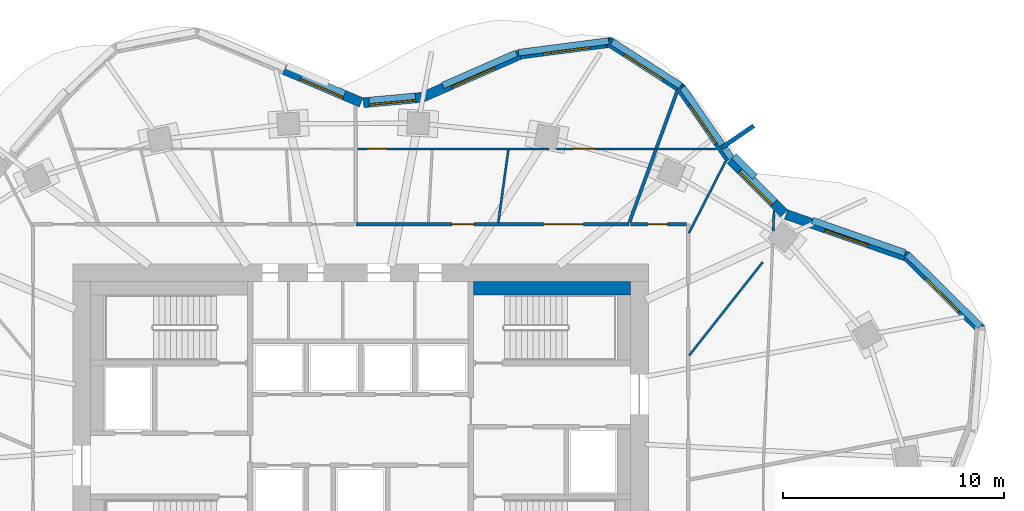
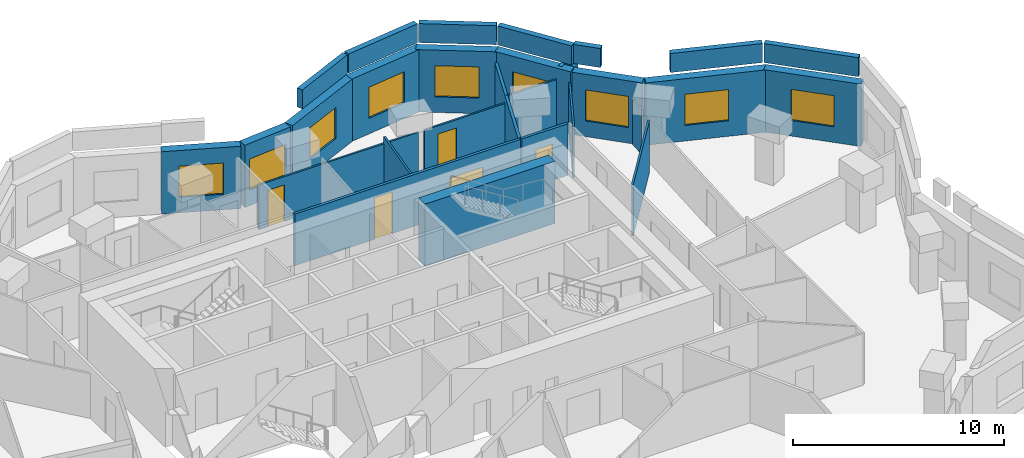
# One storey, part 9 of 11: 28 walls, 9 windows, 5 doors, 14 openings.
"""IFC4 building model written with IfcOpenShell, lengths in metres."""

from ifc_helpers import new_model, si_unit, direction, frame, frame_2d, origin, place, context, subcontext, project, spatial, rectangle, extrude, material, layer, layer_set, type_object, element, fill, save


model = new_model("IFC4")

# Units and contexts
model_context = context("Model", 3, precision=1e-05, world=origin(), true_north=direction((0.0, 1.0)))
body_context = subcontext(model_context, "Body", "Model", "MODEL_VIEW")
ifc_project = project(units=[si_unit("LENGTHUNIT", "METRE"), si_unit("AREAUNIT", "SQUARE_METRE"), si_unit("VOLUMEUNIT", "CUBIC_METRE"), si_unit("PLANEANGLEUNIT", "RADIAN"), si_unit("MASSUNIT", "GRAM", prefix="KILO")], contexts=[model_context])

# Site, building, storey
site_placement = place(None, origin())
site = spatial("IfcSite", under=ifc_project, at=site_placement, CompositionType="ELEMENT")
building_placement = place(site_placement, origin())
building = spatial("IfcBuilding", under=site, at=building_placement, Name="Rubra Terraces Tower", CompositionType="ELEMENT")
storey_placement = place(building_placement, frame((0.0, 0.0, 260.39990234375)))
storey = spatial("IfcBuildingStorey", under=building, at=storey_placement, Name="L64", CompositionType="ELEMENT", Elevation=260.39990234375)

# Wall, opening, window
ifc_material_1 = material(Name="Brick masonry red-brown", Category="masonry")
ifc_layer_1 = layer(ifc_material_1, 0.449951171875)
ifc_layer_set_1 = layer_set([ifc_layer_1], Name="Brick masonry red-brown")
wall_type_1 = type_object("IfcWallType", Name="Brick facade wall 450", PredefinedType="SOLIDWALL", material=ifc_layer_set_1)
wall_1_placement = place(storey_placement, frame((28.06787109375, 9.010986328125, 0.0), z_axis=(0.0, 0.0, 1.0), x_axis=(-0.711293453435, 0.702895172199, 0.0)))
wall_1 = element("IfcWall", 1, at=wall_1_placement, inside=storey, type_object=wall_type_1, Name="Facade wall L64 bay 3", PredefinedType="SOLIDWALL", context=body_context, shape_type="SweptSolid", body=[
    extrude(rectangle(XDim=4.767578125, YDim=0.449951171875, at=frame_2d((2.3837890625, 0.0))), origin(), (0.0, 0.0, 1.0), 3.60009765625),
])
opening_1_placement = place(wall_1_placement, frame((1.333740234375, 0.0, 0.89990234375)))
opening_1 = element("IfcOpeningElement", 2, at=opening_1_placement, cuts=wall_1, Name="Opening W1Z", PredefinedType="OPENING", context=body_context, shape_type="SweptSolid", body=[
    extrude(rectangle(XDim=2.10009765625, YDim=1.800048828125, at=frame_2d((1.050048828125, 0.89990234375))), frame((0.0, 0.23486328125, 0.0), z_axis=(0.0, -1.0, 0.0), x_axis=(1.0, 0.0, 0.0)), (0.0, 0.0, 1.0), 0.469970703125),
])
ifc_material_2 = material(Name="Clear glass in aluminium frame", Category="aluminium")
window_type = type_object("IfcWindowType", Name="Fixed deep-set window under transfer level 2100 x 1800", PartitioningType="SINGLE_PANEL", PredefinedType="WINDOW", material=ifc_material_2)
window_1_placement = place(opening_1_placement, origin())
window_1 = element("IfcWindow", 3, at=window_1_placement, inside=storey, type_object=window_type, Name="Window L64 bay 3", OverallHeight=1.800048828125, OverallWidth=2.10009765625, PartitioningType="SINGLE_PANEL", PredefinedType="WINDOW", context=body_context, shape_type="SweptSolid", body=[
    extrude(rectangle(XDim=2.10009765625, YDim=1.800048828125, at=frame_2d((1.050048828125, 0.89990234375))), frame((0.0, 0.135009765625, 0.0), z_axis=(0.0, -1.0, 0.0), x_axis=(1.0, 0.0, 0.0)), (0.0, 0.0, 1.0), 0.06005859375),
])
fill(opening_1, window_1)

wall_2_placement = place(storey_placement, frame((24.760986328125, 12.309814453125, 0.0), z_axis=(0.0, 0.0, 1.0), x_axis=(-0.944397305248, 0.328806523414, 0.0)))
wall_2 = element("IfcWall", 4, at=wall_2_placement, inside=storey, type_object=wall_type_1, Name="Facade wall L64 bay 4", PredefinedType="SOLIDWALL", context=body_context, shape_type="SweptSolid", body=[
    extrude(rectangle(XDim=5.862060546875, YDim=0.449951171875, at=frame_2d((2.93115234375, 0.0))), origin(), (0.0, 0.0, 1.0), 3.60009765625),
])
opening_2_placement = place(wall_2_placement, frame((1.881103515625, 0.0, 0.89990234375)))
opening_2 = element("IfcOpeningElement", 5, at=opening_2_placement, cuts=wall_2, Name="Opening W1Z", PredefinedType="OPENING", context=body_context, shape_type="SweptSolid", body=[
    extrude(rectangle(XDim=2.10009765625, YDim=1.800048828125, at=frame_2d((1.050048828125, 0.89990234375))), frame((0.0, 0.23486328125, 0.0), z_axis=(0.0, -1.0, 0.0), x_axis=(1.0, 0.0, 0.0)), (0.0, 0.0, 1.0), 0.469970703125),
])
window_2_placement = place(opening_2_placement, origin())
window_2 = element("IfcWindow", 6, at=window_2_placement, inside=storey, type_object=window_type, Name="Window L64 bay 4", OverallHeight=1.800048828125, OverallWidth=2.10009765625, PartitioningType="SINGLE_PANEL", PredefinedType="WINDOW", context=body_context, shape_type="SweptSolid", body=[
    extrude(rectangle(XDim=2.10009765625, YDim=1.800048828125, at=frame_2d((1.050048828125, 0.89990234375))), frame((0.0, 0.135009765625, 0.0), z_axis=(0.0, -1.0, 0.0), x_axis=(1.0, 0.0, 0.0)), (0.0, 0.0, 1.0), 0.06005859375),
])
fill(opening_2, window_2)

wall_3_placement = place(storey_placement, frame((19.145263671875, 14.285400390625, 0.0), z_axis=(0.0, 0.0, 1.0), x_axis=(-0.707427521052, 0.706785895769, 0.0)))
wall_3 = element("IfcWall", 7, at=wall_3_placement, inside=storey, type_object=wall_type_1, Name="Facade wall L64 bay 5", PredefinedType="SOLIDWALL", context=body_context, shape_type="SweptSolid", body=[
    extrude(rectangle(XDim=3.424560546875, YDim=0.449951171875, at=frame_2d((1.71240234375, 0.0))), origin(), (0.0, 0.0, 1.0), 3.60009765625),
])
opening_3_placement = place(wall_3_placement, frame((0.662353515625, 0.0, 0.89990234375)))
opening_3 = element("IfcOpeningElement", 8, at=opening_3_placement, cuts=wall_3, Name="Opening W1Z", PredefinedType="OPENING", context=body_context, shape_type="SweptSolid", body=[
    extrude(rectangle(XDim=2.10009765625, YDim=1.800048828125, at=frame_2d((1.050048828125, 0.89990234375))), frame((0.0, 0.23486328125, 0.0), z_axis=(0.0, -1.0, 0.0), x_axis=(1.0, 0.0, 0.0)), (0.0, 0.0, 1.0), 0.469970703125),
])
window_3_placement = place(opening_3_placement, origin())
window_3 = element("IfcWindow", 9, at=window_3_placement, inside=storey, type_object=window_type, Name="Window L64 bay 5", OverallHeight=1.800048828125, OverallWidth=2.10009765625, PartitioningType="SINGLE_PANEL", PredefinedType="WINDOW", context=body_context, shape_type="SweptSolid", body=[
    extrude(rectangle(XDim=2.10009765625, YDim=1.800048828125, at=frame_2d((1.050048828125, 0.89990234375))), frame((0.0, 0.135009765625, 0.0), z_axis=(0.0, -1.0, 0.0), x_axis=(1.0, 0.0, 0.0)), (0.0, 0.0, 1.0), 0.06005859375),
])
fill(opening_3, window_3)

wall_4_placement = place(storey_placement, frame((16.695068359375, 16.73681640625, 0.0), z_axis=(0.0, 0.0, 1.0), x_axis=(-0.569652445465, 0.821885692402, 0.0)))
wall_4 = element("IfcWall", 10, at=wall_4_placement, inside=storey, type_object=wall_type_1, Name="Facade wall L64 bay 6", PredefinedType="SOLIDWALL", context=body_context, shape_type="SweptSolid", body=[
    extrude(rectangle(XDim=3.958740234375, YDim=0.449951171875, at=frame_2d((1.9794921875, 0.0))), origin(), (0.0, 0.0, 1.0), 3.60009765625),
])
opening_4_placement = place(wall_4_placement, frame((0.929443359375, 0.0, 0.89990234375)))
opening_4 = element("IfcOpeningElement", 11, at=opening_4_placement, cuts=wall_4, Name="Opening W1Z", PredefinedType="OPENING", context=body_context, shape_type="SweptSolid", body=[
    extrude(rectangle(XDim=2.10009765625, YDim=1.800048828125, at=frame_2d((1.050048828125, 0.89990234375))), frame((0.0, 0.23486328125, 0.0), z_axis=(0.0, -1.0, 0.0), x_axis=(1.0, 0.0, 0.0)), (0.0, 0.0, 1.0), 0.469970703125),
])
window_4_placement = place(opening_4_placement, origin())
window_4 = element("IfcWindow", 12, at=window_4_placement, inside=storey, type_object=window_type, Name="Window L64 bay 6", OverallHeight=1.800048828125, OverallWidth=2.10009765625, PartitioningType="SINGLE_PANEL", PredefinedType="WINDOW", context=body_context, shape_type="SweptSolid", body=[
    extrude(rectangle(XDim=2.10009765625, YDim=1.800048828125, at=frame_2d((1.050048828125, 0.89990234375))), frame((0.0, 0.135009765625, 0.0), z_axis=(0.0, -1.0, 0.0), x_axis=(1.0, 0.0, 0.0)), (0.0, 0.0, 1.0), 0.06005859375),
])
fill(opening_4, window_4)

wall_5_placement = place(storey_placement, frame((14.499267578125, 19.934814453125, 0.0), z_axis=(0.0, 0.0, 1.0), x_axis=(-0.84080910763, 0.541331732422, 0.0)))
wall_5 = element("IfcWall", 13, at=wall_5_placement, inside=storey, type_object=wall_type_1, Name="Facade wall L64 bay 7", PredefinedType="SOLIDWALL", context=body_context, shape_type="SweptSolid", body=[
    extrude(rectangle(XDim=3.91064453125, YDim=0.449951171875, at=frame_2d((1.955322265625, 0.0))), origin(), (0.0, 0.0, 1.0), 3.60009765625),
])
opening_5_placement = place(wall_5_placement, frame((0.9052734375, 0.0, 0.89990234375)))
opening_5 = element("IfcOpeningElement", 14, at=opening_5_placement, cuts=wall_5, Name="Opening W1Z", PredefinedType="OPENING", context=body_context, shape_type="SweptSolid", body=[
    extrude(rectangle(XDim=2.10009765625, YDim=1.800048828125, at=frame_2d((1.050048828125, 0.89990234375))), frame((0.0, 0.23486328125, 0.0), z_axis=(0.0, -1.0, 0.0), x_axis=(1.0, 0.0, 0.0)), (0.0, 0.0, 1.0), 0.469970703125),
])
window_5_placement = place(opening_5_placement, origin())
window_5 = element("IfcWindow", 15, at=window_5_placement, inside=storey, type_object=window_type, Name="Window L64 bay 7", OverallHeight=1.800048828125, OverallWidth=2.10009765625, PartitioningType="SINGLE_PANEL", PredefinedType="WINDOW", context=body_context, shape_type="SweptSolid", body=[
    extrude(rectangle(XDim=2.10009765625, YDim=1.800048828125, at=frame_2d((1.050048828125, 0.89990234375))), frame((0.0, 0.135009765625, 0.0), z_axis=(0.0, -1.0, 0.0), x_axis=(1.0, 0.0, 0.0)), (0.0, 0.0, 1.0), 0.06005859375),
])
fill(opening_5, window_5)

wall_6_placement = place(storey_placement, frame((11.36181640625, 22.017822265625, 0.0), z_axis=(0.0, 0.0, 1.0), x_axis=(-0.991724958022, -0.128380713645, 0.0)))
wall_6 = element("IfcWall", 16, at=wall_6_placement, inside=storey, type_object=wall_type_1, Name="Facade wall L64 bay 8", PredefinedType="SOLIDWALL", context=body_context, shape_type="SweptSolid", body=[
    extrude(rectangle(XDim=4.181884765625, YDim=0.449951171875, at=frame_2d((2.0908203125, 0.0))), origin(), (0.0, 0.0, 1.0), 3.60009765625),
])
opening_6_placement = place(wall_6_placement, frame((1.041015625, 0.0, 0.89990234375)))
opening_6 = element("IfcOpeningElement", 17, at=opening_6_placement, cuts=wall_6, Name="Opening W1Z", PredefinedType="OPENING", context=body_context, shape_type="SweptSolid", body=[
    extrude(rectangle(XDim=2.10009765625, YDim=1.800048828125, at=frame_2d((1.050048828125, 0.89990234375))), frame((0.0, 0.23486328125, 0.0), z_axis=(0.0, -1.0, 0.0), x_axis=(1.0, 0.0, 0.0)), (0.0, 0.0, 1.0), 0.469970703125),
])
window_6_placement = place(opening_6_placement, origin())
window_6 = element("IfcWindow", 18, at=window_6_placement, inside=storey, type_object=window_type, Name="Window L64 bay 8", OverallHeight=1.800048828125, OverallWidth=2.10009765625, PartitioningType="SINGLE_PANEL", PredefinedType="WINDOW", context=body_context, shape_type="SweptSolid", body=[
    extrude(rectangle(XDim=2.10009765625, YDim=1.800048828125, at=frame_2d((1.050048828125, 0.89990234375))), frame((0.0, 0.135009765625, 0.0), z_axis=(0.0, -1.0, 0.0), x_axis=(1.0, 0.0, 0.0)), (0.0, 0.0, 1.0), 0.06005859375),
])
fill(opening_6, window_6)

wall_7_placement = place(storey_placement, frame((7.27587890625, 21.498046875, 0.0), z_axis=(0.0, 0.0, 1.0), x_axis=(-0.915872941312, -0.401468249519, 0.0)))
wall_7 = element("IfcWall", 19, at=wall_7_placement, inside=storey, type_object=wall_type_1, Name="Facade wall L64 bay 9", PredefinedType="SOLIDWALL", context=body_context, shape_type="SweptSolid", body=[
    extrude(rectangle(XDim=4.870361328125, YDim=0.449951171875, at=frame_2d((2.43505859375, 0.0))), origin(), (0.0, 0.0, 1.0), 3.60009765625),
])
opening_7_placement = place(wall_7_placement, frame((1.38525390625, 0.0, 0.89990234375)))
opening_7 = element("IfcOpeningElement", 20, at=opening_7_placement, cuts=wall_7, Name="Opening W1Z", PredefinedType="OPENING", context=body_context, shape_type="SweptSolid", body=[
    extrude(rectangle(XDim=2.10009765625, YDim=1.800048828125, at=frame_2d((1.050048828125, 0.89990234375))), frame((0.0, 0.23486328125, 0.0), z_axis=(0.0, -1.0, 0.0), x_axis=(1.0, 0.0, 0.0)), (0.0, 0.0, 1.0), 0.469970703125),
])
window_7_placement = place(opening_7_placement, origin())
window_7 = element("IfcWindow", 21, at=window_7_placement, inside=storey, type_object=window_type, Name="Window L64 bay 9", OverallHeight=1.800048828125, OverallWidth=2.10009765625, PartitioningType="SINGLE_PANEL", PredefinedType="WINDOW", context=body_context, shape_type="SweptSolid", body=[
    extrude(rectangle(XDim=2.10009765625, YDim=1.800048828125, at=frame_2d((1.050048828125, 0.89990234375))), frame((0.0, 0.135009765625, 0.0), z_axis=(0.0, -1.0, 0.0), x_axis=(1.0, 0.0, 0.0)), (0.0, 0.0, 1.0), 0.06005859375),
])
fill(opening_7, window_7)

wall_8_placement = place(storey_placement, frame((2.745361328125, 19.52490234375, 0.0), z_axis=(0.0, 0.0, 1.0), x_axis=(-0.995768774275, -0.091894222771, 0.0)))
wall_8 = element("IfcWall", 22, at=wall_8_placement, inside=storey, type_object=wall_type_1, Name="Facade wall L64 bay 10", PredefinedType="SOLIDWALL", context=body_context, shape_type="SweptSolid", body=[
    extrude(rectangle(XDim=2.624755859375, YDim=0.449951171875, at=frame_2d((1.3125, 0.0))), origin(), (0.0, 0.0, 1.0), 3.60009765625),
])
opening_8_placement = place(wall_8_placement, frame((0.262451171875, 0.0, 0.89990234375)))
opening_8 = element("IfcOpeningElement", 23, at=opening_8_placement, cuts=wall_8, Name="Opening W1Z", PredefinedType="OPENING", context=body_context, shape_type="SweptSolid", body=[
    extrude(rectangle(XDim=2.10009765625, YDim=1.800048828125, at=frame_2d((1.050048828125, 0.89990234375))), frame((0.0, 0.23486328125, 0.0), z_axis=(0.0, -1.0, 0.0), x_axis=(1.0, 0.0, 0.0)), (0.0, 0.0, 1.0), 0.469970703125),
])
window_8_placement = place(opening_8_placement, origin())
window_8 = element("IfcWindow", 24, at=window_8_placement, inside=storey, type_object=window_type, Name="Window L64 bay 10", OverallHeight=1.800048828125, OverallWidth=2.10009765625, PartitioningType="SINGLE_PANEL", PredefinedType="WINDOW", context=body_context, shape_type="SweptSolid", body=[
    extrude(rectangle(XDim=2.10009765625, YDim=1.800048828125, at=frame_2d((1.050048828125, 0.89990234375))), frame((0.0, 0.135009765625, 0.0), z_axis=(0.0, -1.0, 0.0), x_axis=(1.0, 0.0, 0.0)), (0.0, 0.0, 1.0), 0.06005859375),
])
fill(opening_8, window_8)

wall_9_placement = place(storey_placement, frame((0.0263671875, 19.29931640625, 0.0), z_axis=(0.0, 0.0, 1.0), x_axis=(-0.920040408927, 0.391823488245, 0.0)))
wall_9 = element("IfcWall", 25, at=wall_9_placement, inside=storey, type_object=wall_type_1, Name="Facade wall L64 bay 11", PredefinedType="SOLIDWALL", context=body_context, shape_type="SweptSolid", body=[
    extrude(rectangle(XDim=3.769775390625, YDim=0.449951171875, at=frame_2d((1.884765625, 0.0))), origin(), (0.0, 0.0, 1.0), 3.60009765625),
])
opening_9_placement = place(wall_9_placement, frame((0.8349609375, 0.0, 0.89990234375)))
opening_9 = element("IfcOpeningElement", 26, at=opening_9_placement, cuts=wall_9, Name="Opening W1Z", PredefinedType="OPENING", context=body_context, shape_type="SweptSolid", body=[
    extrude(rectangle(XDim=2.10009765625, YDim=1.800048828125, at=frame_2d((1.050048828125, 0.89990234375))), frame((0.0, 0.23486328125, 0.0), z_axis=(0.0, -1.0, 0.0), x_axis=(1.0, 0.0, 0.0)), (0.0, 0.0, 1.0), 0.469970703125),
])
window_9_placement = place(opening_9_placement, origin())
window_9 = element("IfcWindow", 27, at=window_9_placement, inside=storey, type_object=window_type, Name="Window L64 bay 11", OverallHeight=1.800048828125, OverallWidth=2.10009765625, PartitioningType="SINGLE_PANEL", PredefinedType="WINDOW", context=body_context, shape_type="SweptSolid", body=[
    extrude(rectangle(XDim=2.10009765625, YDim=1.800048828125, at=frame_2d((1.050048828125, 0.89990234375))), frame((0.0, 0.135009765625, 0.0), z_axis=(0.0, -1.0, 0.0), x_axis=(1.0, 0.0, 0.0)), (0.0, 0.0, 1.0), 0.06005859375),
])
fill(opening_9, window_9)

# Walls
ifc_layer_2 = layer(ifc_material_1, 0.300048828125)
ifc_layer_set_2 = layer_set([ifc_layer_2], Name="Brick masonry red-brown")
wall_type_2 = type_object("IfcWallType", Name="Brick parapet 300", PredefinedType="PARAPET", material=ifc_layer_set_2)
wall_10_placement = place(storey_placement, frame((28.00048828125, 9.18310546875, 3.900146484375), z_axis=(0.0, 0.0, 1.0), x_axis=(-0.711291435321, 0.702897214419, 0.0)))
element("IfcWall", 28, at=wall_10_placement, inside=storey, type_object=wall_type_2, Name="Parapet L64 bay 3", PredefinedType="PARAPET", context=body_context, shape_type="SweptSolid", body=[
    extrude(rectangle(XDim=4.62451171875, YDim=0.300048828125, at=frame_2d((2.312255859375, 0.0))), origin(), (0.0, 0.0, 1.0), 1.099853515625),
])
wall_11_placement = place(storey_placement, frame((24.605224609375, 12.49951171875, 3.900146484375), z_axis=(0.0, 0.0, 1.0), x_axis=(-0.944388328268, 0.328832305943, 0.0)))
element("IfcWall", 29, at=wall_11_placement, inside=storey, type_object=wall_type_2, Name="Parapet L64 bay 4", PredefinedType="PARAPET", context=body_context, shape_type="SweptSolid", body=[
    extrude(rectangle(XDim=4.435302734375, YDim=0.300048828125, at=frame_2d((2.2177734375, 0.0))), origin(), (0.0, 0.0, 1.0), 1.099853515625),
])
wall_12_placement = place(storey_placement, frame((17.811279296875, 15.93603515625, 3.900146484375), z_axis=(0.0, 0.0, 1.0), x_axis=(-0.707385370732, 0.706828081837, 0.0)))
element("IfcWall", 30, at=wall_12_placement, inside=storey, type_object=wall_type_2, Name="Parapet L64 bay 5", PredefinedType="PARAPET", context=body_context, shape_type="SweptSolid", body=[
    extrude(rectangle(XDim=1.314208984375, YDim=0.300048828125, at=frame_2d((0.6572265625, 0.0))), origin(), (0.0, 0.0, 1.0), 1.099853515625),
])
wall_13_placement = place(storey_placement, frame((16.75537109375, 16.781494140625, 3.900146484375), z_axis=(0.0, 0.0, 1.0), x_axis=(-0.569678588486, 0.821867571948, 0.0)))
element("IfcWall", 31, at=wall_13_placement, inside=storey, type_object=wall_type_2, Name="Parapet L64 bay 6", PredefinedType="PARAPET", context=body_context, shape_type="SweptSolid", body=[
    extrude(rectangle(XDim=3.873291015625, YDim=0.300048828125, at=frame_2d((1.9365234375, 0.0))), origin(), (0.0, 0.0, 1.0), 1.099853515625),
])
wall_14_placement = place(storey_placement, frame((14.464599609375, 20.04638671875, 3.900146484375), z_axis=(0.0, 0.0, 1.0), x_axis=(-0.840809836002, 0.541330601095, 0.0)))
element("IfcWall", 32, at=wall_14_placement, inside=storey, type_object=wall_type_2, Name="Parapet L64 bay 7", PredefinedType="PARAPET", context=body_context, shape_type="SweptSolid", body=[
    extrude(rectangle(XDim=3.681640625, YDim=0.300048828125, at=frame_2d((1.8408203125, 0.0))), origin(), (0.0, 0.0, 1.0), 1.099853515625),
])
wall_15_placement = place(storey_placement, frame((11.2138671875, 22.07421875, 3.900146484375), z_axis=(0.0, 0.0, 1.0), x_axis=(-0.991727449614, -0.128361464939, 0.0)))
element("IfcWall", 33, at=wall_15_placement, inside=storey, type_object=wall_type_2, Name="Parapet L64 bay 8", PredefinedType="PARAPET", context=body_context, shape_type="SweptSolid", body=[
    extrude(rectangle(XDim=4.110107421875, YDim=0.300048828125, at=frame_2d((2.05517578125, 0.0))), origin(), (0.0, 0.0, 1.0), 1.099853515625),
])
wall_16_placement = place(storey_placement, frame((7.039306640625, 21.519287109375, 3.900146484375), z_axis=(0.0, 0.0, 1.0), x_axis=(-0.915895948183, -0.401415759659, 0.0)))
element("IfcWall", 34, at=wall_16_placement, inside=storey, type_object=wall_type_2, Name="Parapet L64 bay 9", PredefinedType="PARAPET", context=body_context, shape_type="SweptSolid", body=[
    extrude(rectangle(XDim=3.62548828125, YDim=0.300048828125, at=frame_2d((1.812744140625, 0.0))), origin(), (0.0, 0.0, 1.0), 1.099853515625),
])
ifc_layer_3 = layer(ifc_material_1, 0.199951171875)
ifc_layer_set_3 = layer_set([ifc_layer_3], Name="Brick masonry red-brown")
wall_type_3 = type_object("IfcWallType", Name="Brick wind fin 200", PredefinedType="SOLIDWALL", material=ifc_layer_set_3)
wall_17_placement = place(storey_placement, frame((16.322021484375, 17.2529296875, 0.0), z_axis=(0.0, 0.0, 1.0), x_axis=(0.824440606412, 0.565948483962, 0.0)))
element("IfcWall", 35, at=wall_17_placement, inside=storey, type_object=wall_type_3, Name="Wind fin L64 4", PredefinedType="SOLIDWALL", context=body_context, shape_type="SweptSolid", body=[
    extrude(rectangle(XDim=1.75, YDim=0.199951171875, at=frame_2d((0.875, 0.0))), origin(), (0.0, 0.0, 1.0), 3.60009765625),
])

# Wall, openings, doors
ifc_material_3 = material(Name="Plasterboard on steel stud, mineral wool infill", Category="steel")
ifc_layer_4 = layer(ifc_material_3, 0.14990234375)
ifc_layer_set_4 = layer_set([ifc_layer_4], Name="Plasterboard on steel stud, mineral wool infill")
wall_type_4 = type_object("IfcWallType", Name="CORRIDOR PARTITION 150", PredefinedType="PARTITIONING", material=ifc_layer_set_4)
wall_18_placement = place(storey_placement, frame((12.119140625, 13.800048828125, 0.0), z_axis=(0.0, 0.0, 1.0), x_axis=(-1.0, 0.0, 0.0)))
wall_18 = element("IfcWall", 36, at=wall_18_placement, inside=storey, type_object=wall_type_4, Name="PARTITION", PredefinedType="PARTITIONING", context=body_context, shape_type="SweptSolid", body=[
    extrude(rectangle(XDim=12.33154296875, YDim=0.14990234375, at=frame_2d((6.165771484375, 0.0))), origin(), (0.0, 0.0, 1.0), 2.984130859375),
])
opening_10_placement = place(wall_18_placement, frame((2.052978515625, 0.0, 0.0)))
opening_10 = element("IfcOpeningElement", 37, at=opening_10_placement, cuts=wall_18, Name="Opening 64-101", PredefinedType="OPENING", context=body_context, shape_type="SweptSolid", body=[
    extrude(rectangle(XDim=1.800048828125, YDim=2.10009765625, at=frame_2d((0.89990234375, 1.050048828125))), frame((0.0, 0.0849609375, 0.0), z_axis=(0.0, -1.0, 0.0), x_axis=(1.0, 0.0, 0.0)), (0.0, 0.0, 1.0), 0.169921875),
])
opening_11_placement = place(wall_18_placement, frame((6.98193359375, 0.0, 0.0)))
opening_11 = element("IfcOpeningElement", 38, at=opening_11_placement, cuts=wall_18, Name="Opening 64-103", PredefinedType="OPENING", context=body_context, shape_type="SweptSolid", body=[
    extrude(rectangle(XDim=1.0, YDim=2.39990234375, at=frame_2d((0.5, 1.199951171875))), frame((0.0, 0.0849609375, 0.0), z_axis=(0.0, -1.0, 0.0), x_axis=(1.0, 0.0, 0.0)), (0.0, 0.0, 1.0), 0.169921875),
])
ifc_material_4 = material(Name="Glazed aluminium meeting door leaf", Category="aluminium")
door_type_1 = type_object("IfcDoorType", Name="MEETING ROOM GLAZED DOOR 1000 X 2400", OperationType="SINGLE_SWING_LEFT", PredefinedType="DOOR", material=ifc_material_4)
door_1_placement = place(opening_11_placement, origin())
door_1 = element("IfcDoor", 39, at=door_1_placement, inside=storey, type_object=door_type_1, Name="DOOR 64-103", OperationType="SINGLE_SWING_RIGHT", OverallHeight=2.39990234375, OverallWidth=1.0, PredefinedType="DOOR", context=body_context, shape_type="SweptSolid", body=[
    extrude(rectangle(XDim=1.0, YDim=2.39990234375, at=frame_2d((0.5, 1.199951171875))), frame((0.0, 0.02490234375, 0.0), z_axis=(0.0, -1.0, 0.0), x_axis=(1.0, 0.0, 0.0)), (0.0, 0.0, 1.0), 0.050048828125),
])
fill(opening_11, door_1)
ifc_material_5 = material(Name="Painted timber door leaf, double", Category="wood")
door_type_2 = type_object("IfcDoorType", Name="ROOM DOUBLE DOOR 1800 X 2100", OperationType="DOUBLE_DOOR_SINGLE_SWING", PredefinedType="DOOR", material=ifc_material_5)
door_2_placement = place(opening_10_placement, origin())
door_2 = element("IfcDoor", 40, at=door_2_placement, inside=storey, type_object=door_type_2, Name="DOOR 64-101", OperationType="DOUBLE_DOOR_SINGLE_SWING", OverallHeight=2.10009765625, OverallWidth=1.800048828125, PredefinedType="DOOR", context=body_context, shape_type="SweptSolid", body=[
    extrude(rectangle(XDim=1.800048828125, YDim=2.10009765625, at=frame_2d((0.89990234375, 1.050048828125))), frame((0.0, 0.02490234375, 0.0), z_axis=(0.0, -1.0, 0.0), x_axis=(1.0, 0.0, 0.0)), (0.0, 0.0, 1.0), 0.050048828125),
])
fill(opening_10, door_2)

# Wall, opening, door
wall_19_placement = place(storey_placement, frame((14.72509765625, 13.800048828125, 0.0), z_axis=(0.0, 0.0, 1.0), x_axis=(-1.0, 0.0, 0.0)))
wall_19 = element("IfcWall", 41, at=wall_19_placement, inside=storey, type_object=wall_type_4, Name="PARTITION", PredefinedType="PARTITIONING", context=body_context, shape_type="SweptSolid", body=[
    extrude(rectangle(XDim=2.531005859375, YDim=0.14990234375, at=frame_2d((1.265625, 0.0))), origin(), (0.0, 0.0, 1.0), 2.984130859375),
])
opening_12_placement = place(wall_19_placement, frame((0.85009765625, 0.0, 0.0)))
opening_12 = element("IfcOpeningElement", 42, at=opening_12_placement, cuts=wall_19, Name="Opening 64-137", PredefinedType="OPENING", context=body_context, shape_type="SweptSolid", body=[
    extrude(rectangle(XDim=0.89990234375, YDim=2.10009765625, at=frame_2d((0.449951171875, 1.050048828125))), frame((0.0, 0.0849609375, 0.0), z_axis=(0.0, -1.0, 0.0), x_axis=(1.0, 0.0, 0.0)), (0.0, 0.0, 1.0), 0.169921875),
])
ifc_material_6 = material(Name="Painted timber door leaf", Category="wood")
door_type_3 = type_object("IfcDoorType", Name="BATHROOM DOOR 900 X 2100", OperationType="SINGLE_SWING_LEFT", PredefinedType="DOOR", material=ifc_material_6)
door_3_placement = place(opening_12_placement, origin())
door_3 = element("IfcDoor", 43, at=door_3_placement, inside=storey, type_object=door_type_3, Name="DOOR 64-137", OperationType="SINGLE_SWING_RIGHT", OverallHeight=2.10009765625, OverallWidth=0.89990234375, PredefinedType="DOOR", context=body_context, shape_type="SweptSolid", body=[
    extrude(rectangle(XDim=0.89990234375, YDim=2.10009765625, at=frame_2d((0.449951171875, 1.050048828125))), frame((0.0, 0.02490234375, 0.0), z_axis=(0.0, -1.0, 0.0), x_axis=(1.0, 0.0, 0.0)), (0.0, 0.0, 1.0), 0.050048828125),
])
fill(opening_12, door_3)

# Walls
ifc_material_7 = material(Name="Concrete C40", Category="concrete")
ifc_layer_5 = layer(ifc_material_7, 0.60009765625)
ifc_layer_set_5 = layer_set([ifc_layer_5], Name="Concrete C40")
wall_type_5 = type_object("IfcWallType", Name="Core lining wall 600 concrete", PredefinedType="SOLIDWALL", material=ifc_layer_set_5)
wall_20_placement = place(storey_placement, frame((12.199951171875, 10.89990234375, 0.0), z_axis=(0.0, 0.0, 1.0), x_axis=(-1.0, 0.0, 0.0)))
element("IfcWall", 44, at=wall_20_placement, inside=storey, type_object=wall_type_5, Name="CORE LINING WALL L64", PredefinedType="SOLIDWALL", context=body_context, shape_type="SweptSolid", body=[
    extrude(rectangle(XDim=7.099853515625, YDim=0.60009765625, at=frame_2d((3.5498046875, 0.0))), origin(), (0.0, 0.0, 1.0), 3.60009765625),
])
ifc_material_8 = material(Name="Plasterboard on steel stud", Category="steel")
ifc_layer_6 = layer(ifc_material_8, 0.10009765625)
ifc_layer_set_6 = layer_set([ifc_layer_6], Name="Plasterboard on steel stud")
wall_type_6 = type_object("IfcWallType", Name="ROOM PARTITION 100", PredefinedType="PARTITIONING", material=ifc_layer_set_6)
wall_21_placement = place(storey_placement, frame((6.224365234375, 13.874267578125, 0.0), z_axis=(0.0, 0.0, 1.0), x_axis=(0.13700708293, 0.990570067803, 0.0)))
element("IfcWall", 45, at=wall_21_placement, inside=storey, type_object=wall_type_6, Name="PARTITION", PredefinedType="PARTITIONING", context=body_context, shape_type="SweptSolid", body=[
    extrude(rectangle(XDim=3.307373046875, YDim=0.10009765625, at=frame_2d((1.65380859375, 0.0))), origin(), (0.0, 0.0, 1.0), 2.984130859375),
])
wall_22_placement = place(storey_placement, frame((13.37890625, 17.199951171875, 0.0), z_axis=(0.0, 0.0, 1.0), x_axis=(1.0, 0.0, 0.0)))
element("IfcWall", 46, at=wall_22_placement, inside=storey, type_object=wall_type_6, Name="PARTITION", PredefinedType="PARTITIONING", context=body_context, shape_type="SweptSolid", body=[
    extrude(rectangle(XDim=2.697265625, YDim=0.10009765625, at=frame_2d((1.3486328125, 0.0))), origin(), (0.0, 0.0, 1.0), 2.984130859375),
])
wall_23_placement = place(storey_placement, frame((14.846435546875, 7.86328125, 0.0), z_axis=(0.0, 0.0, 1.0), x_axis=(0.619070377388, 0.785335512912, 0.0)))
element("IfcWall", 47, at=wall_23_placement, inside=storey, type_object=wall_type_6, Name="PARTITION", PredefinedType="PARTITIONING", context=body_context, shape_type="SweptSolid", body=[
    extrude(rectangle(XDim=5.366943359375, YDim=0.10009765625, at=frame_2d((2.68359375, 0.0))), origin(), (0.0, 0.0, 1.0), 2.984130859375),
])
wall_24_placement = place(storey_placement, frame((14.834228515625, 13.394287109375, 0.0), z_axis=(0.0, 0.0, 1.0), x_axis=(0.455511656282, 0.890229819199, 0.0)))
element("IfcWall", 48, at=wall_24_placement, inside=storey, type_object=wall_type_6, Name="PARTITION", PredefinedType="PARTITIONING", context=body_context, shape_type="SweptSolid", body=[
    extrude(rectangle(XDim=3.639892578125, YDim=0.10009765625, at=frame_2d((1.81982421875, 0.0))), origin(), (0.0, 0.0, 1.0), 2.984130859375),
])

# Wall, opening, door
ifc_layer_7 = layer(ifc_material_8, 0.10009765625)
ifc_layer_set_7 = layer_set([ifc_layer_7], Name="Plasterboard on steel stud")
wall_type_7 = type_object("IfcWallType", Name="ROOM PARTITION 100 LOW HEAD", PredefinedType="PARTITIONING", material=ifc_layer_set_7)
wall_25_placement = place(storey_placement, frame((-0.201171875, 17.199951171875, 0.0), z_axis=(0.0, 0.0, 1.0), x_axis=(1.0, 0.0, 0.0)))
wall_25 = element("IfcWall", 49, at=wall_25_placement, inside=storey, type_object=wall_type_7, Name="PARTITION", PredefinedType="PARTITIONING", context=body_context, shape_type="SweptSolid", body=[
    extrude(rectangle(XDim=8.722412109375, YDim=0.10009765625, at=frame_2d((4.361328125, 0.0))), origin(), (0.0, 0.0, 1.0), 2.580078125),
])
opening_13_placement = place(wall_25_placement, frame((0.5, 0.0, 0.0)))
opening_13 = element("IfcOpeningElement", 50, at=opening_13_placement, cuts=wall_25, Name="Opening 64-104", PredefinedType="OPENING", context=body_context, shape_type="SweptSolid", body=[
    extrude(rectangle(XDim=0.89990234375, YDim=2.10009765625, at=frame_2d((0.449951171875, 1.050048828125))), frame((0.0, 0.06005859375, 0.0), z_axis=(0.0, -1.0, 0.0), x_axis=(1.0, 0.0, 0.0)), (0.0, 0.0, 1.0), 0.1201171875),
])
door_type_4 = type_object("IfcDoorType", Name="ROOM DOOR 900 X 2100", OperationType="SINGLE_SWING_LEFT", PredefinedType="DOOR", material=ifc_material_6)
door_4_placement = place(opening_13_placement, origin())
door_4 = element("IfcDoor", 51, at=door_4_placement, inside=storey, type_object=door_type_4, Name="DOOR 64-104", OperationType="SINGLE_SWING_LEFT", OverallHeight=2.10009765625, OverallWidth=0.89990234375, PredefinedType="DOOR", context=body_context, shape_type="SweptSolid", body=[
    extrude(rectangle(XDim=0.89990234375, YDim=2.10009765625, at=frame_2d((0.449951171875, 1.050048828125))), frame((0.0, 0.02490234375, 0.0), z_axis=(0.0, -1.0, 0.0), x_axis=(1.0, 0.0, 0.0)), (0.0, 0.0, 1.0), 0.050048828125),
])
fill(opening_13, door_4)

wall_26_placement = place(storey_placement, frame((8.84521484375, 17.199951171875, 0.0), z_axis=(0.0, 0.0, 1.0), x_axis=(1.0, 0.0, 0.0)))
wall_26 = element("IfcWall", 52, at=wall_26_placement, inside=storey, type_object=wall_type_7, Name="PARTITION", PredefinedType="PARTITIONING", context=body_context, shape_type="SweptSolid", body=[
    extrude(rectangle(XDim=4.4912109375, YDim=0.10009765625, at=frame_2d((2.24560546875, 0.0))), origin(), (0.0, 0.0, 1.0), 2.580078125),
])
opening_14_placement = place(wall_26_placement, frame((0.7470703125, 0.0, 0.0)))
opening_14 = element("IfcOpeningElement", 53, at=opening_14_placement, cuts=wall_26, Name="Opening 64-102", PredefinedType="OPENING", context=body_context, shape_type="SweptSolid", body=[
    extrude(rectangle(XDim=1.0, YDim=2.10009765625, at=frame_2d((0.5, 1.050048828125))), frame((0.0, 0.06005859375, 0.0), z_axis=(0.0, -1.0, 0.0), x_axis=(1.0, 0.0, 0.0)), (0.0, 0.0, 1.0), 0.1201171875),
])
door_type_5 = type_object("IfcDoorType", Name="ROOM DOOR 1000 X 2100", OperationType="SINGLE_SWING_LEFT", PredefinedType="DOOR", material=ifc_material_6)
door_5_placement = place(opening_14_placement, origin())
door_5 = element("IfcDoor", 54, at=door_5_placement, inside=storey, type_object=door_type_5, Name="DOOR 64-102", OperationType="SINGLE_SWING_LEFT", OverallHeight=2.10009765625, OverallWidth=1.0, PredefinedType="DOOR", context=body_context, shape_type="SweptSolid", body=[
    extrude(rectangle(XDim=1.0, YDim=2.10009765625, at=frame_2d((0.5, 1.050048828125))), frame((0.0, 0.02490234375, 0.0), z_axis=(0.0, -1.0, 0.0), x_axis=(1.0, 0.0, 0.0)), (0.0, 0.0, 1.0), 0.050048828125),
])
fill(opening_14, door_5)

# Walls
wall_27_placement = place(storey_placement, frame((18.6806640625, 14.403564453125, 0.0), z_axis=(0.0, 0.0, 1.0), x_axis=(-0.04178454469, -0.999126644538, 0.0)))
element("IfcWall", 55, at=wall_27_placement, inside=storey, type_object=wall_type_7, Name="PARTITION", PredefinedType="PARTITIONING", context=body_context, shape_type="SweptSolid", body=[
    extrude(rectangle(XDim=0.923095703125, YDim=0.10009765625, at=frame_2d((0.46142578125, 0.0))), origin(), (0.0, 0.0, 1.0), 2.580078125),
])
ifc_layer_8 = layer(ifc_material_8, 0.14990234375)
ifc_layer_set_8 = layer_set([ifc_layer_8], Name="Plasterboard on steel stud")
wall_type_8 = type_object("IfcWallType", Name="ROOM PARTITION 150", PredefinedType="PARTITIONING", material=ifc_layer_set_8)
wall_28_placement = place(storey_placement, frame((14.30078125, 19.7890625, 0.0), z_axis=(0.0, 0.0, 1.0), x_axis=(-0.342247171487, -0.939609958232, 0.0)))
element("IfcWall", 56, at=wall_28_placement, inside=storey, type_object=wall_type_8, Name="PARTITION", PredefinedType="PARTITIONING", context=body_context, shape_type="SweptSolid", body=[
    extrude(rectangle(XDim=6.298828125, YDim=0.14990234375, at=frame_2d((3.1494140625, 0.0))), origin(), (0.0, 0.0, 1.0), 2.984130859375),
])

save(model, "model.ifc")
